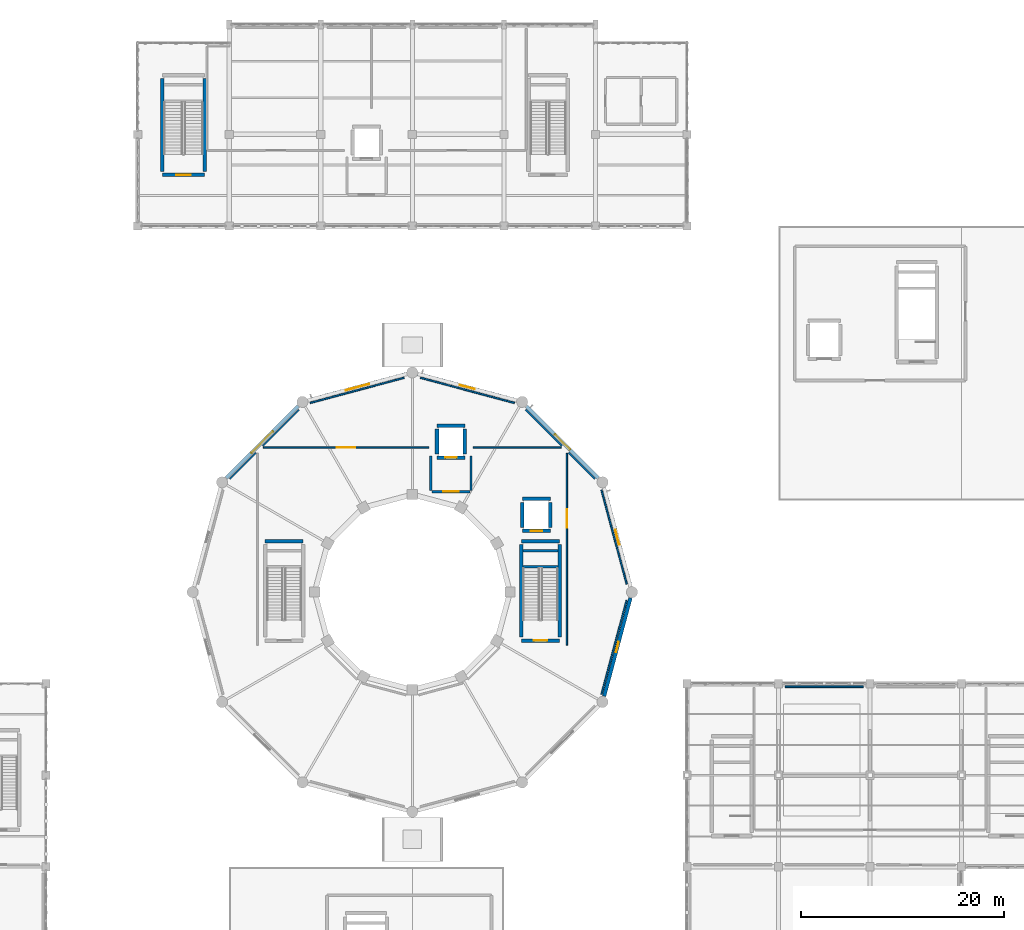
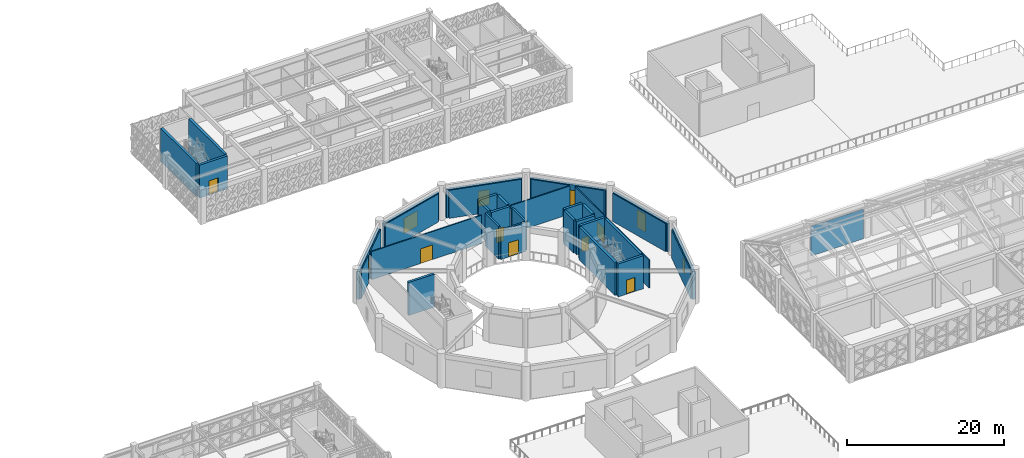
# One storey, part 72 of 86: 39 walls, 7 doors, 6 windows, 13 openings.
"""IFC4 building model written with IfcOpenShell, lengths in metres."""

from ifc_helpers import new_model, si_unit, direction, frame, frame_2d, origin, place, context, subcontext, project, spatial, rectangle, extrude, material, layer, layer_set, type_object, element, fill, save


model = new_model("IFC4")

# Units and contexts
model_context = context("Model", 3, precision=1e-05, world=origin(), true_north=direction((0.0, 1.0)))
body_context = subcontext(model_context, "Body", "Model", "MODEL_VIEW")
ifc_project = project(units=[si_unit("LENGTHUNIT", "METRE"), si_unit("AREAUNIT", "SQUARE_METRE"), si_unit("VOLUMEUNIT", "CUBIC_METRE"), si_unit("PLANEANGLEUNIT", "RADIAN"), si_unit("MASSUNIT", "GRAM", prefix="KILO")], contexts=[model_context])

# Site, building, storey
site_placement = place(None, origin())
site = spatial("IfcSite", under=ifc_project, at=site_placement, CompositionType="ELEMENT")
building_placement = place(site_placement, origin())
building = spatial("IfcBuilding", under=site, at=building_placement, Name="Haizhuo Lancet Aquarium", CompositionType="ELEMENT")
storey_placement = place(building_placement, frame((0.0, 0.0, 16.199951171875)))
storey = spatial("IfcBuildingStorey", under=building, at=storey_placement, Name="L03", CompositionType="ELEMENT", Elevation=16.199951171875)

# Wall, opening, window
ifc_material_1 = material(Name="Shandong Grey Limestone Ashlar", Category="masonry")
ifc_layer_1 = layer(ifc_material_1, 0.360107421875)
ifc_layer_set_1 = layer_set([ifc_layer_1], Name="Shandong Grey Limestone Ashlar")
wall_type_1 = type_object("IfcWallType", Name="EWL-ASH-360", PredefinedType="SOLIDWALL", material=ifc_layer_set_1)
wall_1_placement = place(storey_placement, frame((18.860107421875, 10.22509765625, 0.0), z_axis=(0.0, 0.0, 1.0), x_axis=(0.258836652854, -0.965921108134, 0.0)))
wall_1 = element("IfcWall", 1, at=wall_1_placement, inside=storey, type_object=wall_type_1, Name="L03 V1 limestone drum wall bay 1", PredefinedType="SOLIDWALL", context=body_context, shape_type="SweptSolid", body=[
    extrude(rectangle(XDim=9.99072265625, YDim=0.360107421875, at=frame_2d((4.995361328125, 0.0))), origin(), (0.0, 0.0, 1.0), 4.385009765625),
])
opening_1_placement = place(wall_1_placement, frame((4.2451171875, 0.0, 0.89990234375)))
opening_1 = element("IfcOpeningElement", 2, at=opening_1_placement, cuts=wall_1, Name="Opening WN-03", PredefinedType="OPENING", context=body_context, shape_type="SweptSolid", body=[
    extrude(rectangle(XDim=1.5, YDim=2.800048828125, at=frame_2d((0.75, 1.39990234375))), frame((0.0, 0.18994140625, 0.0), z_axis=(0.0, -1.0, 0.0), x_axis=(1.0, 0.0, 0.0)), (0.0, 0.0, 1.0), 0.380107),
])
ifc_material_2 = material(Name="Laminated Low-E Glass", Category="glass")
window_type_1 = type_object("IfcWindowType", Name="WIN-LAN-1500x2800", PartitioningType="SINGLE_PANEL", PredefinedType="WINDOW", material=ifc_material_2)
window_1_placement = place(opening_1_placement, origin())
window_1 = element("IfcWindow", 3, at=window_1_placement, inside=storey, type_object=window_type_1, Name="L03 Gothic lancet window 33", OverallHeight=2.800048828125, OverallWidth=1.5, PartitioningType="SINGLE_PANEL", PredefinedType="WINDOW", context=body_context, shape_type="SweptSolid", body=[
    extrude(rectangle(XDim=1.5, YDim=2.800048828125, at=frame_2d((0.75, 1.39990234375))), frame((0.0, 0.030029296875, 0.0), z_axis=(0.0, -1.0, 0.0), x_axis=(1.0, 0.0, 0.0)), (0.0, 0.0, 1.0), 0.06005859375),
])
fill(opening_1, window_1)

wall_2_placement = place(storey_placement, frame((11.220947265625, 18.284912109375, 0.0), z_axis=(0.0, 0.0, 1.0), x_axis=(0.707106781187, -0.707106781187, 0.0)))
wall_2 = element("IfcWall", 4, at=wall_2_placement, inside=storey, type_object=wall_type_1, Name="L03 V1 limestone drum wall bay 2", PredefinedType="SOLIDWALL", context=body_context, shape_type="SweptSolid", body=[
    extrude(rectangle(XDim=9.989990234375, YDim=0.360107421875, at=frame_2d((4.9951171875, 0.0))), origin(), (0.0, 0.0, 1.0), 4.385009765625),
])
opening_2_placement = place(wall_2_placement, frame((3.945068359375, 0.0, 0.89990234375)))
opening_2 = element("IfcOpeningElement", 5, at=opening_2_placement, cuts=wall_2, Name="Opening WN-07", PredefinedType="OPENING", context=body_context, shape_type="SweptSolid", body=[
    extrude(rectangle(XDim=2.10009765625, YDim=2.60009765625, at=frame_2d((1.050048828125, 1.300048828125))), frame((0.0, 0.18994140625, 0.0), z_axis=(0.0, -1.0, 0.0), x_axis=(1.0, 0.0, 0.0)), (0.0, 0.0, 1.0), 0.380107),
])
window_type_2 = type_object("IfcWindowType", Name="WIN-LAN-2100x2600", PartitioningType="SINGLE_PANEL", PredefinedType="WINDOW", material=ifc_material_2)
window_2_placement = place(opening_2_placement, origin())
window_2 = element("IfcWindow", 6, at=window_2_placement, inside=storey, type_object=window_type_2, Name="L03 Gothic lancet window 34", OverallHeight=2.60009765625, OverallWidth=2.10009765625, PartitioningType="SINGLE_PANEL", PredefinedType="WINDOW", context=body_context, shape_type="SweptSolid", body=[
    extrude(rectangle(XDim=2.10009765625, YDim=2.60009765625, at=frame_2d((1.050048828125, 1.300048828125))), frame((0.0, 0.030029296875, 0.0), z_axis=(0.0, -1.0, 0.0), x_axis=(1.0, 0.0, 0.0)), (0.0, 0.0, 1.0), 0.06005859375),
])
fill(opening_2, window_2)

wall_3_placement = place(storey_placement, frame((0.574951171875, 21.446044921875, 0.0), z_axis=(0.0, 0.0, 1.0), x_axis=(0.965921108134, -0.258836652854, 0.0)))
wall_3 = element("IfcWall", 7, at=wall_3_placement, inside=storey, type_object=wall_type_1, Name="L03 V1 limestone drum wall bay 3", PredefinedType="SOLIDWALL", context=body_context, shape_type="SweptSolid", body=[
    extrude(rectangle(XDim=9.99072265625, YDim=0.360107421875, at=frame_2d((4.995361328125, 0.0))), origin(), (0.0, 0.0, 1.0), 4.385009765625),
])
opening_3_placement = place(wall_3_placement, frame((4.2451171875, 0.0, 0.89990234375)))
opening_3 = element("IfcOpeningElement", 8, at=opening_3_placement, cuts=wall_3, Name="Opening WN-04", PredefinedType="OPENING", context=body_context, shape_type="SweptSolid", body=[
    extrude(rectangle(XDim=1.5, YDim=2.39990234375, at=frame_2d((0.75, 1.199951171875))), frame((0.0, 0.18994140625, 0.0), z_axis=(0.0, -1.0, 0.0), x_axis=(1.0, 0.0, 0.0)), (0.0, 0.0, 1.0), 0.380107),
])
window_type_3 = type_object("IfcWindowType", Name="WIN-LAN-1500x2400", PartitioningType="SINGLE_PANEL", PredefinedType="WINDOW", material=ifc_material_2)
window_3_placement = place(opening_3_placement, origin())
window_3 = element("IfcWindow", 9, at=window_3_placement, inside=storey, type_object=window_type_3, Name="L03 Gothic lancet window 35", OverallHeight=2.39990234375, OverallWidth=1.5, PartitioningType="SINGLE_PANEL", PredefinedType="WINDOW", context=body_context, shape_type="SweptSolid", body=[
    extrude(rectangle(XDim=1.5, YDim=2.39990234375, at=frame_2d((0.75, 1.199951171875))), frame((0.0, 0.030029296875, 0.0), z_axis=(0.0, -1.0, 0.0), x_axis=(1.0, 0.0, 0.0)), (0.0, 0.0, 1.0), 0.06005859375),
])
fill(opening_3, window_3)

wall_4_placement = place(storey_placement, frame((-10.22509765625, 18.860107421875, 0.0), z_axis=(0.0, 0.0, 1.0), x_axis=(0.965921108134, 0.258836652854, 0.0)))
wall_4 = element("IfcWall", 10, at=wall_4_placement, inside=storey, type_object=wall_type_1, Name="L03 V1 limestone drum wall bay 4", PredefinedType="SOLIDWALL", context=body_context, shape_type="SweptSolid", body=[
    extrude(rectangle(XDim=9.99072265625, YDim=0.360107421875, at=frame_2d((4.995361328125, 0.0))), origin(), (0.0, 0.0, 1.0), 4.385009765625),
])
opening_4_placement = place(wall_4_placement, frame((3.794921875, 0.0, 0.89990234375)))
opening_4 = element("IfcOpeningElement", 11, at=opening_4_placement, cuts=wall_4, Name="Opening WN-08", PredefinedType="OPENING", context=body_context, shape_type="SweptSolid", body=[
    extrude(rectangle(XDim=2.39990234375, YDim=2.39990234375, at=frame_2d((1.199951171875, 1.199951171875))), frame((0.0, 0.18994140625, 0.0), z_axis=(0.0, -1.0, 0.0), x_axis=(1.0, 0.0, 0.0)), (0.0, 0.0, 1.0), 0.380107),
])
window_type_4 = type_object("IfcWindowType", Name="WIN-LAN-2400x2400", PartitioningType="SINGLE_PANEL", PredefinedType="WINDOW", material=ifc_material_2)
window_4_placement = place(opening_4_placement, origin())
window_4 = element("IfcWindow", 12, at=window_4_placement, inside=storey, type_object=window_type_4, Name="L03 Gothic lancet window 36", OverallHeight=2.39990234375, OverallWidth=2.39990234375, PartitioningType="SINGLE_PANEL", PredefinedType="WINDOW", context=body_context, shape_type="SweptSolid", body=[
    extrude(rectangle(XDim=2.39990234375, YDim=2.39990234375, at=frame_2d((1.199951171875, 1.199951171875))), frame((0.0, 0.030029296875, 0.0), z_axis=(0.0, -1.0, 0.0), x_axis=(1.0, 0.0, 0.0)), (0.0, 0.0, 1.0), 0.06005859375),
])
fill(opening_4, window_4)

wall_5_placement = place(storey_placement, frame((-18.284912109375, 11.220947265625, 0.0), z_axis=(0.0, 0.0, 1.0), x_axis=(0.707106781187, 0.707106781187, 0.0)))
wall_5 = element("IfcWall", 13, at=wall_5_placement, inside=storey, type_object=wall_type_1, Name="L03 V1 limestone drum wall bay 5", PredefinedType="SOLIDWALL", context=body_context, shape_type="SweptSolid", body=[
    extrude(rectangle(XDim=9.989990234375, YDim=0.360107421875, at=frame_2d((4.9951171875, 0.0))), origin(), (0.0, 0.0, 1.0), 4.385009765625),
])
opening_5_placement = place(wall_5_placement, frame((3.4951171875, 0.0, 0.89990234375)))
opening_5 = element("IfcOpeningElement", 14, at=opening_5_placement, cuts=wall_5, Name="Opening WN-10", PredefinedType="OPENING", context=body_context, shape_type="SweptSolid", body=[
    extrude(rectangle(XDim=3.0, YDim=2.0, at=frame_2d((1.5, 1.0))), frame((0.0, 0.18994140625, 0.0), z_axis=(0.0, -1.0, 0.0), x_axis=(1.0, 0.0, 0.0)), (0.0, 0.0, 1.0), 0.380107),
])
window_type_5 = type_object("IfcWindowType", Name="WIN-LAN-3000x2000", PartitioningType="SINGLE_PANEL", PredefinedType="WINDOW", material=ifc_material_2)
window_5_placement = place(opening_5_placement, origin())
window_5 = element("IfcWindow", 15, at=window_5_placement, inside=storey, type_object=window_type_5, Name="L03 Gothic lancet window 37", OverallHeight=2.0, OverallWidth=3.0, PartitioningType="SINGLE_PANEL", PredefinedType="WINDOW", context=body_context, shape_type="SweptSolid", body=[
    extrude(rectangle(XDim=3.0, YDim=2.0, at=frame_2d((1.5, 1.0))), frame((0.0, 0.030029296875, 0.0), z_axis=(0.0, -1.0, 0.0), x_axis=(1.0, 0.0, 0.0)), (0.0, 0.0, 1.0), 0.06005859375),
])
fill(opening_5, window_5)

wall_6_placement = place(storey_placement, frame((21.446044921875, -0.574951171875, 0.0), z_axis=(0.0, 0.0, 1.0), x_axis=(-0.258836652854, -0.965921108134, 0.0)))
wall_6 = element("IfcWall", 16, at=wall_6_placement, inside=storey, type_object=wall_type_1, Name="L03 V1 limestone drum wall bay 12", PredefinedType="SOLIDWALL", context=body_context, shape_type="SweptSolid", body=[
    extrude(rectangle(XDim=9.99072265625, YDim=0.360107421875, at=frame_2d((4.995361328125, 0.0))), origin(), (0.0, 0.0, 1.0), 4.385009765625),
])
opening_6_placement = place(wall_6_placement, frame((4.469970703125, 0.0, 0.89990234375)))
opening_6 = element("IfcOpeningElement", 17, at=opening_6_placement, cuts=wall_6, Name="Opening WN-12", PredefinedType="OPENING", context=body_context, shape_type="SweptSolid", body=[
    extrude(rectangle(XDim=1.050048828125, YDim=2.0, at=frame_2d((0.52490234375, 1.0))), frame((0.0, 0.18994140625, 0.0), z_axis=(0.0, -1.0, 0.0), x_axis=(1.0, 0.0, 0.0)), (0.0, 0.0, 1.0), 0.380107),
])
window_type_6 = type_object("IfcWindowType", Name="WIN-LAN-1050x2000", PartitioningType="SINGLE_PANEL", PredefinedType="WINDOW", material=ifc_material_2)
window_6_placement = place(opening_6_placement, origin())
window_6 = element("IfcWindow", 18, at=window_6_placement, inside=storey, type_object=window_type_6, Name="L03 Gothic lancet window 44", OverallHeight=2.0, OverallWidth=1.050048828125, PartitioningType="SINGLE_PANEL", PredefinedType="WINDOW", context=body_context, shape_type="SweptSolid", body=[
    extrude(rectangle(XDim=1.050048828125, YDim=2.0, at=frame_2d((0.52490234375, 1.0))), frame((0.0, 0.030029296875, 0.0), z_axis=(0.0, -1.0, 0.0), x_axis=(1.0, 0.0, 0.0)), (0.0, 0.0, 1.0), 0.06005859375),
])
fill(opening_6, window_6)

# Wall, opening, door
ifc_material_3 = material(Name="Concrete C40/50", Category="concrete")
ifc_layer_2 = layer(ifc_material_3, 0.239990234375)
ifc_layer_set_2 = layer_set([ifc_layer_2], Name="Concrete C40/50")
wall_type_2 = type_object("IfcWallType", Name="IWL-FIRE-240", PredefinedType="PARTITIONING", material=ifc_layer_set_2)
wall_7_placement = place(storey_placement, frame((1.949951171875, 9.8798828125, 0.0), z_axis=(0.0, 0.0, 1.0), x_axis=(1.0, 0.0, 0.0)))
wall_7 = element("IfcWall", 19, at=wall_7_placement, inside=storey, type_object=wall_type_2, Name="L03 LF-01 firefighting lift lobby firewall S", PredefinedType="PARTITIONING", context=body_context, shape_type="SweptSolid", body=[
    extrude(rectangle(XDim=3.699951171875, YDim=0.239990234375, at=frame_2d((1.85009765625, 0.0))), origin(), (0.0, 0.0, 1.0), 4.53515625),
])
opening_7_placement = place(wall_7_placement, frame((1.10009765625, 0.0, 0.0)))
opening_7 = element("IfcOpeningElement", 20, at=opening_7_placement, cuts=wall_7, Name="Opening FD-03", PredefinedType="OPENING", context=body_context, shape_type="SweptSolid", body=[
    extrude(rectangle(XDim=1.5, YDim=2.199951171875, at=frame_2d((0.75, 1.10009765625))), frame((0.0, 0.1298828125, 0.0), z_axis=(0.0, -1.0, 0.0), x_axis=(1.0, 0.0, 0.0)), (0.0, 0.0, 1.0), 0.25999),
])
ifc_material_4 = material(Name="Steel S355", Category="steel")
door_type_1 = type_object("IfcDoorType", Name="IDR-FFL-1500x2200", OperationType="NOTDEFINED", PredefinedType="DOOR", material=ifc_material_4)
door_1_placement = place(opening_7_placement, origin())
door_1 = element("IfcDoor", 21, at=door_1_placement, inside=storey, type_object=door_type_1, Name="L03 LF-01 firefighting lift lobby door", OperationType="SINGLE_SWING_LEFT", OverallHeight=2.199951171875, OverallWidth=1.5, PredefinedType="DOOR", context=body_context, shape_type="SweptSolid", body=[
    extrude(rectangle(XDim=1.5, YDim=2.199951171875, at=frame_2d((0.75, 1.10009765625))), frame((0.0, 0.02490234375, 0.0), z_axis=(0.0, -1.0, 0.0), x_axis=(1.0, 0.0, 0.0)), (0.0, 0.0, 1.0), 0.050048828125),
])
fill(opening_7, door_1)

# Walls
wall_8_placement = place(storey_placement, frame((1.830078125, 10.0, 0.0), z_axis=(0.0, 0.0, 1.0), x_axis=(0.0, 1.0, 0.0)))
element("IfcWall", 22, at=wall_8_placement, inside=storey, type_object=wall_type_2, Name="L03 LF-01 firefighting lift lobby firewall W", PredefinedType="PARTITIONING", context=body_context, shape_type="SweptSolid", body=[
    extrude(rectangle(XDim=3.39990234375, YDim=0.239990234375, at=frame_2d((1.699951171875, 0.0))), origin(), (0.0, 0.0, 1.0), 5.10009765625),
])
wall_9_placement = place(storey_placement, frame((5.77001953125, 10.0, 0.0), z_axis=(0.0, 0.0, 1.0), x_axis=(0.0, 1.0, 0.0)))
element("IfcWall", 23, at=wall_9_placement, inside=storey, type_object=wall_type_2, Name="L03 LF-01 firefighting lift lobby firewall E", PredefinedType="PARTITIONING", context=body_context, shape_type="SweptSolid", body=[
    extrude(rectangle(XDim=3.39990234375, YDim=0.239990234375, at=frame_2d((1.699951171875, 0.0))), origin(), (0.0, 0.0, 1.0), 4.53515625),
])
ifc_material_5 = material(Name="Gypsum Fireboard Partition")
ifc_layer_3 = layer(ifc_material_5, 0.14990234375)
ifc_layer_set_3 = layer_set([ifc_layer_3], Name="Gypsum Fireboard Partition")
wall_type_3 = type_object("IfcWallType", Name="IWL-STD-150", PredefinedType="PARTITIONING", material=ifc_layer_set_3)
wall_10_placement = place(storey_placement, frame((18.59912109375, -10.0400390625, 0.0), z_axis=(0.0, 0.0, 1.0), x_axis=(0.258779912716, 0.965936310931, 0.0)))
element("IfcWall", 24, at=wall_10_placement, inside=storey, type_object=wall_type_3, Name="L03 partition wall 455", PredefinedType="PARTITIONING", context=body_context, shape_type="SweptSolid", body=[
    extrude(rectangle(XDim=9.559814453125, YDim=0.14990234375, at=frame_2d((4.77978515625, 0.0))), origin(), (0.0, 0.0, 1.0), 4.385009765625),
])
wall_11_placement = place(storey_placement, frame((21.076904296875, 0.787109375, 0.0), z_axis=(0.0, 0.0, 1.0), x_axis=(-0.258883855342, 0.965908458107, 0.0)))
element("IfcWall", 25, at=wall_11_placement, inside=storey, type_object=wall_type_3, Name="L03 partition wall 456", PredefinedType="PARTITIONING", context=body_context, shape_type="SweptSolid", body=[
    extrude(rectangle(XDim=9.57958984375, YDim=0.14990234375, at=frame_2d((4.789794921875, 0.0))), origin(), (0.0, 0.0, 1.0), 4.385009765625),
])
wall_12_placement = place(storey_placement, frame((17.946044921875, 11.135009765625, 0.0), z_axis=(0.0, 0.0, 1.0), x_axis=(-0.706972707094, 0.707240829862, 0.0)))
element("IfcWall", 26, at=wall_12_placement, inside=storey, type_object=wall_type_3, Name="L03 partition wall 457", PredefinedType="PARTITIONING", context=body_context, shape_type="SweptSolid", body=[
    extrude(rectangle(XDim=3.642333984375, YDim=0.14990234375, at=frame_2d((1.8212890625, 0.0))), origin(), (0.0, 0.0, 1.0), 4.385009765625),
])

# Wall, opening, door
wall_13_placement = place(storey_placement, frame((15.199951171875, 13.639892578125, 0.0), z_axis=(0.0, 0.0, 1.0), x_axis=(0.0, -1.0, 0.0)))
wall_13 = element("IfcWall", 27, at=wall_13_placement, inside=storey, type_object=wall_type_3, Name="L03 partition wall 458", PredefinedType="PARTITIONING", context=body_context, shape_type="SweptSolid", body=[
    extrude(rectangle(XDim=18.83984375, YDim=0.14990234375, at=frame_2d((9.419921875, 0.0))), origin(), (0.0, 0.0, 1.0), 4.385009765625),
])
opening_8_placement = place(wall_13_placement, frame((5.506103515625, 0.0, 0.0)))
opening_8 = element("IfcOpeningElement", 28, at=opening_8_placement, cuts=wall_13, Name="Opening D-02", PredefinedType="OPENING", context=body_context, shape_type="SweptSolid", body=[
    extrude(rectangle(XDim=1.800048828125, YDim=2.300048828125, at=frame_2d((0.89990234375, 1.14990234375))), frame((0.0, 0.0849609375, 0.0), z_axis=(0.0, -1.0, 0.0), x_axis=(1.0, 0.0, 0.0)), (0.0, 0.0, 1.0), 0.169902),
])
ifc_material_6 = material(Name="Aluminium 6063-T6", Category="aluminium")
door_type_2 = type_object("IfcDoorType", Name="IDR-GAL-1800x2300", OperationType="NOTDEFINED", PredefinedType="DOOR", material=ifc_material_6)
door_2_placement = place(opening_8_placement, origin())
door_2 = element("IfcDoor", 29, at=door_2_placement, inside=storey, type_object=door_type_2, Name="L03 Ocean Tank Dive Husbandry Deck door", OperationType="DOUBLE_DOOR_SINGLE_SWING", OverallHeight=2.300048828125, OverallWidth=1.800048828125, PredefinedType="DOOR", context=body_context, shape_type="SweptSolid", body=[
    extrude(rectangle(XDim=1.800048828125, YDim=2.300048828125, at=frame_2d((0.89990234375, 1.14990234375))), frame((0.0, 0.02490234375, 0.0), z_axis=(0.0, -1.0, 0.0), x_axis=(1.0, 0.0, 0.0)), (0.0, 0.0, 1.0), 0.050048828125),
])
fill(opening_8, door_2)

# Wall
wall_14_placement = place(storey_placement, frame((-15.37109375, 13.7109375, 0.0), z_axis=(0.0, 0.0, 1.0), x_axis=(-0.706972707094, -0.707240829862, 0.0)))
element("IfcWall", 30, at=wall_14_placement, inside=storey, type_object=wall_type_3, Name="L03 partition wall 464", PredefinedType="PARTITIONING", context=body_context, shape_type="SweptSolid", body=[
    extrude(rectangle(XDim=3.642333984375, YDim=0.14990234375, at=frame_2d((1.8212890625, 0.0))), origin(), (0.0, 0.0, 1.0), 4.385009765625),
])

# Wall, opening, door
wall_15_placement = place(storey_placement, frame((-14.639892578125, 14.199951171875, 0.0), z_axis=(0.0, 0.0, 1.0), x_axis=(1.0, 0.0, 0.0)))
wall_15 = element("IfcWall", 31, at=wall_15_placement, inside=storey, type_object=wall_type_3, Name="L03 partition wall 466", PredefinedType="PARTITIONING", context=body_context, shape_type="SweptSolid", body=[
    extrude(rectangle(XDim=16.264892578125, YDim=0.14990234375, at=frame_2d((8.13232421875, 0.0))), origin(), (0.0, 0.0, 1.0), 4.385009765625),
])
opening_9_placement = place(wall_15_placement, frame((7.23193359375, 0.0, 0.0)))
opening_9 = element("IfcOpeningElement", 32, at=opening_9_placement, cuts=wall_15, Name="Opening D-02", PredefinedType="OPENING", context=body_context, shape_type="SweptSolid", body=[
    extrude(rectangle(XDim=1.800048828125, YDim=2.300048828125, at=frame_2d((0.89990234375, 1.14990234375))), frame((0.0, 0.0849609375, 0.0), z_axis=(0.0, -1.0, 0.0), x_axis=(1.0, 0.0, 0.0)), (0.0, 0.0, 1.0), 0.169902),
])
door_3_placement = place(opening_9_placement, origin())
door_3 = element("IfcDoor", 33, at=door_3_placement, inside=storey, type_object=door_type_2, Name="L03 Ocean Tank Dive Husbandry Deck door", OperationType="DOUBLE_DOOR_SINGLE_SWING", OverallHeight=2.300048828125, OverallWidth=1.800048828125, PredefinedType="DOOR", context=body_context, shape_type="SweptSolid", body=[
    extrude(rectangle(XDim=1.800048828125, YDim=2.300048828125, at=frame_2d((0.89990234375, 1.14990234375))), frame((0.0, 0.02490234375, 0.0), z_axis=(0.0, -1.0, 0.0), x_axis=(1.0, 0.0, 0.0)), (0.0, 0.0, 1.0), 0.050048828125),
])
fill(opening_9, door_3)

# Walls
wall_16_placement = place(storey_placement, frame((5.97509765625, 14.201904296875, 0.0), z_axis=(0.0, 0.0, 1.0), x_axis=(0.999999974595, -0.000225409253, 0.0)))
element("IfcWall", 34, at=wall_16_placement, inside=storey, type_object=wall_type_3, Name="L03 partition wall 467", PredefinedType="PARTITIONING", context=body_context, shape_type="SweptSolid", body=[
    extrude(rectangle(XDim=8.664794921875, YDim=0.14990234375, at=frame_2d((4.33251953125, 0.0))), origin(), (0.0, 0.0, 1.0), 4.385009765625),
])
wall_17_placement = place(storey_placement, frame((14.7109375, 14.37109375, 0.0), z_axis=(0.0, 0.0, 1.0), x_axis=(-0.707203340899, 0.707010208287, 0.0)))
element("IfcWall", 35, at=wall_17_placement, inside=storey, type_object=wall_type_3, Name="L03 partition wall 468", PredefinedType="PARTITIONING", context=body_context, shape_type="SweptSolid", body=[
    extrude(rectangle(XDim=5.056396484375, YDim=0.14990234375, at=frame_2d((2.5283203125, 0.0))), origin(), (0.0, 0.0, 1.0), 4.385009765625),
])
wall_18_placement = place(storey_placement, frame((10.0400390625, 18.596923828125, 0.0), z_axis=(0.0, 0.0, 1.0), x_axis=(-0.965872416838, 0.259018289684, 0.0)))
element("IfcWall", 36, at=wall_18_placement, inside=storey, type_object=wall_type_3, Name="L03 partition wall 469", PredefinedType="PARTITIONING", context=body_context, shape_type="SweptSolid", body=[
    extrude(rectangle(XDim=9.57080078125, YDim=0.14990234375, at=frame_2d((4.785400390625, 0.0))), origin(), (0.0, 0.0, 1.0), 4.385009765625),
])
wall_19_placement = place(storey_placement, frame((-0.805908203125, 21.072998046875, 0.0), z_axis=(0.0, 0.0, 1.0), x_axis=(-0.965936310931, -0.258779912716, 0.0)))
element("IfcWall", 37, at=wall_19_placement, inside=storey, type_object=wall_type_3, Name="L03 partition wall 470", PredefinedType="PARTITIONING", context=body_context, shape_type="SweptSolid", body=[
    extrude(rectangle(XDim=9.559814453125, YDim=0.14990234375, at=frame_2d((4.77978515625, 0.0))), origin(), (0.0, 0.0, 1.0), 4.385009765625),
])
wall_20_placement = place(storey_placement, frame((-11.135986328125, 17.946044921875, 0.0), z_axis=(0.0, 0.0, 1.0), x_axis=(-0.707106781187, -0.707106781187, 0.0)))
element("IfcWall", 38, at=wall_20_placement, inside=storey, type_object=wall_type_3, Name="L03 partition wall 471", PredefinedType="PARTITIONING", context=body_context, shape_type="SweptSolid", body=[
    extrude(rectangle(XDim=5.0556640625, YDim=0.14990234375, at=frame_2d((2.52783203125, 0.0))), origin(), (0.0, 0.0, 1.0), 4.385009765625),
])
wall_21_placement = place(storey_placement, frame((44.35009765625, -9.300048828125, 0.0), z_axis=(0.0, 0.0, 1.0), x_axis=(-1.0, 0.0, 0.0)))
element("IfcWall", 39, at=wall_21_placement, inside=storey, type_object=wall_type_3, Name="L03 partition wall 476", PredefinedType="PARTITIONING", context=body_context, shape_type="SweptSolid", body=[
    extrude(rectangle(XDim=7.7001953125, YDim=0.14990234375, at=frame_2d((3.85009765625, 0.0))), origin(), (0.0, 0.0, 1.0), 4.635009765625),
])
ifc_layer_4 = layer(ifc_material_3, 0.35009765625)
ifc_layer_set_4 = layer_set([ifc_layer_4], Name="Concrete C40/50")
wall_type_4 = type_object("IfcWallType", Name="WL-CORE-350", PredefinedType="SHEAR", material=ifc_layer_set_4)
wall_22_placement = place(storey_placement, frame((-14.47509765625, 5.02490234375, 0.0), z_axis=(0.0, 0.0, 1.0), x_axis=(1.0, 0.0, 0.0)))
element("IfcWall", 40, at=wall_22_placement, inside=storey, type_object=wall_type_4, Name="L03 ST-01 core shear wall N", PredefinedType="SHEAR", context=body_context, shape_type="SweptSolid", body=[
    extrude(rectangle(XDim=3.75, YDim=0.35009765625, at=frame_2d((1.875, 0.0))), origin(), (0.0, 0.0, 1.0), 5.150146484375),
])
for number, where, z_axis, x_axis, name in (
    (41, (10.89990234375, 2.47509765625, 0.0), (0.0, 0.0, 1.0), (1.0, 0.0, 0.0), "L03 ST-02 landing support wall"),
    (42, (10.89990234375, 4.074951171875, 0.0), (0.0, 0.0, 1.0), (1.0, 0.0, 0.0), "L03 ST-02 far landing support wall"),
):
    element("IfcWall", number, at=place(storey_placement, frame(where, z_axis=z_axis, x_axis=x_axis)), inside=storey, type_object=wall_type_4, Name=name, PredefinedType="SHEAR", context=body_context, shape_type="SweptSolid", body=[
        extrude(rectangle(XDim=3.400146484375, YDim=0.25, at=frame_2d((1.7001953125, 0.0))), origin(), (0.0, 0.0, 1.0), 2.5),
    ])

# Wall, opening, door
wall_23_placement = place(storey_placement, frame((10.72509765625, -4.77490234375, 0.0), z_axis=(0.0, 0.0, 1.0), x_axis=(1.0, 0.0, 0.0)))
wall_23 = element("IfcWall", 43, at=wall_23_placement, inside=storey, type_object=wall_type_4, Name="L03 ST-02 core shear wall S", PredefinedType="SHEAR", context=body_context, shape_type="SweptSolid", body=[
    extrude(rectangle(XDim=3.75, YDim=0.35009765625, at=frame_2d((1.875, 0.0))), origin(), (0.0, 0.0, 1.0), 5.150146484375),
])
opening_10_placement = place(wall_23_placement, frame((1.22509765625, 0.0, 0.0)))
opening_10 = element("IfcOpeningElement", 44, at=opening_10_placement, cuts=wall_23, Name="Opening FD-02", PredefinedType="OPENING", context=body_context, shape_type="SweptSolid", body=[
    extrude(rectangle(XDim=1.300048828125, YDim=2.199951171875, at=frame_2d((0.64990234375, 1.10009765625))), frame((0.0, 0.18505859375, 0.0), z_axis=(0.0, -1.0, 0.0), x_axis=(1.0, 0.0, 0.0)), (0.0, 0.0, 1.0), 0.370098),
])
door_type_3 = type_object("IfcDoorType", Name="IDR-STAIR-1300x2200", OperationType="NOTDEFINED", PredefinedType="DOOR", material=ifc_material_4)
door_4_placement = place(opening_10_placement, origin())
door_4 = element("IfcDoor", 45, at=door_4_placement, inside=storey, type_object=door_type_3, Name="L03 ST-02 stairwell fire door", OperationType="SINGLE_SWING_RIGHT", OverallHeight=2.199951171875, OverallWidth=1.300048828125, PredefinedType="DOOR", context=body_context, shape_type="SweptSolid", body=[
    extrude(rectangle(XDim=1.300048828125, YDim=2.199951171875, at=frame_2d((0.64990234375, 1.10009765625))), frame((0.0, 0.02490234375, 0.0), z_axis=(0.0, -1.0, 0.0), x_axis=(1.0, 0.0, 0.0)), (0.0, 0.0, 1.0), 0.050048828125),
])
fill(opening_10, door_4)

# Walls
wall_24_placement = place(storey_placement, frame((10.72509765625, 5.02490234375, 0.0), z_axis=(0.0, 0.0, 1.0), x_axis=(1.0, 0.0, 0.0)))
element("IfcWall", 46, at=wall_24_placement, inside=storey, type_object=wall_type_4, Name="L03 ST-02 core shear wall N", PredefinedType="SHEAR", context=body_context, shape_type="SweptSolid", body=[
    extrude(rectangle(XDim=3.75, YDim=0.35009765625, at=frame_2d((1.875, 0.0))), origin(), (0.0, 0.0, 1.0), 5.150146484375),
])
for number, where, z_axis, x_axis, name in (
    (47, (10.72509765625, -4.425048828125, 0.0), (0.0, 0.0, 1.0), (0.0, 1.0, 0.0), "L03 ST-02 core shear wall W"),
    (48, (14.47509765625, -4.425048828125, 0.0), (0.0, 0.0, 1.0), (0.0, 1.0, 0.0), "L03 ST-02 core shear wall E"),
):
    element("IfcWall", number, at=place(storey_placement, frame(where, z_axis=z_axis, x_axis=x_axis)), inside=storey, type_object=wall_type_4, Name=name, PredefinedType="SHEAR", context=body_context, shape_type="SweptSolid", body=[
        extrude(rectangle(XDim=9.10009765625, YDim=0.35009765625, at=frame_2d((4.550048828125, 0.0))), origin(), (0.0, 0.0, 1.0), 5.150146484375),
    ])

# Wall, opening, door
wall_25_placement = place(storey_placement, frame((-24.574951171875, 41.02490234375, 0.0), z_axis=(0.0, 0.0, 1.0), x_axis=(1.0, 0.0, 0.0)))
wall_25 = element("IfcWall", 49, at=wall_25_placement, inside=storey, type_object=wall_type_4, Name="L03 ST-07 core shear wall S", PredefinedType="SHEAR", context=body_context, shape_type="SweptSolid", body=[
    extrude(rectangle(XDim=4.14990234375, YDim=0.35009765625, at=frame_2d((2.074951171875, 0.0))), origin(), (0.0, 0.0, 1.0), 5.150146484375),
])
opening_11_placement = place(wall_25_placement, frame((1.375, 0.0, 0.0)))
opening_11 = element("IfcOpeningElement", 50, at=opening_11_placement, cuts=wall_25, Name="Opening FD-01", PredefinedType="OPENING", context=body_context, shape_type="SweptSolid", body=[
    extrude(rectangle(XDim=1.39990234375, YDim=2.199951171875, at=frame_2d((0.699951171875, 1.10009765625))), frame((0.0, 0.18505859375, 0.0), z_axis=(0.0, -1.0, 0.0), x_axis=(1.0, 0.0, 0.0)), (0.0, 0.0, 1.0), 0.370098),
])
door_type_4 = type_object("IfcDoorType", Name="IDR-STAIR-1400x2200", OperationType="NOTDEFINED", PredefinedType="DOOR", material=ifc_material_4)
door_5_placement = place(opening_11_placement, origin())
door_5 = element("IfcDoor", 51, at=door_5_placement, inside=storey, type_object=door_type_4, Name="L03 ST-07 stairwell fire door", OperationType="SINGLE_SWING_LEFT", OverallHeight=2.199951171875, OverallWidth=1.39990234375, PredefinedType="DOOR", context=body_context, shape_type="SweptSolid", body=[
    extrude(rectangle(XDim=1.39990234375, YDim=2.199951171875, at=frame_2d((0.699951171875, 1.10009765625))), frame((0.0, 0.02490234375, 0.0), z_axis=(0.0, -1.0, 0.0), x_axis=(1.0, 0.0, 0.0)), (0.0, 0.0, 1.0), 0.050048828125),
])
fill(opening_11, door_5)

# Walls
for number, where, z_axis, x_axis, name in (
    (52, (-24.574951171875, 41.375, 0.0), (0.0, 0.0, 1.0), (0.0, 1.0, 0.0), "L03 ST-07 core shear wall W"),
    (53, (-20.425048828125, 41.375, 0.0), (0.0, 0.0, 1.0), (0.0, 1.0, 0.0), "L03 ST-07 core shear wall E"),
):
    element("IfcWall", number, at=place(storey_placement, frame(where, z_axis=z_axis, x_axis=x_axis)), inside=storey, type_object=wall_type_4, Name=name, PredefinedType="SHEAR", context=body_context, shape_type="SweptSolid", body=[
        extrude(rectangle(XDim=9.10009765625, YDim=0.35009765625, at=frame_2d((4.550048828125, 0.0))), origin(), (0.0, 0.0, 1.0), 5.150146484375),
    ])

# Wall, opening, door
wall_26_placement = place(storey_placement, frame((2.425048828125, 13.22509765625, 0.0), z_axis=(0.0, 0.0, 1.0), x_axis=(1.0, 0.0, 0.0)))
wall_26 = element("IfcWall", 54, at=wall_26_placement, inside=storey, type_object=wall_type_4, Name="L03 LF-01 lift shaft wall -Y", PredefinedType="SHEAR", context=body_context, shape_type="SweptSolid", body=[
    extrude(rectangle(XDim=2.75, YDim=0.35009765625, at=frame_2d((1.375, 0.0))), origin(), (0.0, 0.0, 1.0), 5.150146484375),
])
opening_12_placement = place(wall_26_placement, frame((0.824951171875, 0.0, 0.0)))
opening_12 = element("IfcOpeningElement", 55, at=opening_12_placement, cuts=wall_26, Name="Opening LD-01", PredefinedType="OPENING", context=body_context, shape_type="SweptSolid", body=[
    extrude(rectangle(XDim=1.10009765625, YDim=2.199951171875, at=frame_2d((0.550048828125, 1.10009765625))), frame((0.0, 0.18505859375, 0.0), z_axis=(0.0, -1.0, 0.0), x_axis=(1.0, 0.0, 0.0)), (0.0, 0.0, 1.0), 0.370098),
])
door_type_5 = type_object("IfcDoorType", Name="IDR-LIFT-1100x2200", OperationType="NOTDEFINED", PredefinedType="DOOR", material=ifc_material_4)
door_6_placement = place(opening_12_placement, origin())
door_6 = element("IfcDoor", 56, at=door_6_placement, inside=storey, type_object=door_type_5, Name="L03 LF-01 sliding lift landing door", OperationType="DOUBLE_DOOR_SLIDING", OverallHeight=2.199951171875, OverallWidth=1.10009765625, PredefinedType="DOOR", context=body_context, shape_type="SweptSolid", body=[
    extrude(rectangle(XDim=1.10009765625, YDim=2.199951171875, at=frame_2d((0.550048828125, 1.10009765625))), frame((0.0, 0.02490234375, 0.0), z_axis=(0.0, -1.0, 0.0), x_axis=(1.0, 0.0, 0.0)), (0.0, 0.0, 1.0), 0.050048828125),
])
fill(opening_12, door_6)

# Walls
wall_27_placement = place(storey_placement, frame((5.175048828125, 16.375, 0.0), z_axis=(0.0, 0.0, 1.0), x_axis=(-1.0, 0.0, 0.0)))
element("IfcWall", 57, at=wall_27_placement, inside=storey, type_object=wall_type_4, Name="L03 LF-01 lift shaft wall +Y", PredefinedType="SHEAR", context=body_context, shape_type="SweptSolid", body=[
    extrude(rectangle(XDim=2.75, YDim=0.35009765625, at=frame_2d((1.375, 0.0))), origin(), (0.0, 0.0, 1.0), 5.150146484375),
])
for number, where, z_axis, x_axis, name in (
    (58, (2.425048828125, 13.574951171875, 0.0), (0.0, 0.0, 1.0), (0.0, 1.0, 0.0), "L03 LF-01 lift shaft wall -X"),
    (59, (5.175048828125, 13.574951171875, 0.0), (0.0, 0.0, 1.0), (0.0, 1.0, 0.0), "L03 LF-01 lift shaft wall +X"),
):
    element("IfcWall", number, at=place(storey_placement, frame(where, z_axis=z_axis, x_axis=x_axis)), inside=storey, type_object=wall_type_4, Name=name, PredefinedType="SHEAR", context=body_context, shape_type="SweptSolid", body=[
        extrude(rectangle(XDim=2.449951171875, YDim=0.35009765625, at=frame_2d((1.22509765625, 0.0))), origin(), (0.0, 0.0, 1.0), 5.150146484375),
    ])

# Wall, opening, door
wall_28_placement = place(storey_placement, frame((10.824951171875, 6.02490234375, 0.0), z_axis=(0.0, 0.0, 1.0), x_axis=(1.0, 0.0, 0.0)))
wall_28 = element("IfcWall", 60, at=wall_28_placement, inside=storey, type_object=wall_type_4, Name="L03 LP-01 lift shaft wall -Y", PredefinedType="SHEAR", context=body_context, shape_type="SweptSolid", body=[
    extrude(rectangle(XDim=2.75, YDim=0.35009765625, at=frame_2d((1.375, 0.0))), origin(), (0.0, 0.0, 1.0), 5.150146484375),
])
opening_13_placement = place(wall_28_placement, frame((0.824951171875, 0.0, 0.0)))
opening_13 = element("IfcOpeningElement", 61, at=opening_13_placement, cuts=wall_28, Name="Opening LD-01", PredefinedType="OPENING", context=body_context, shape_type="SweptSolid", body=[
    extrude(rectangle(XDim=1.10009765625, YDim=2.199951171875, at=frame_2d((0.550048828125, 1.10009765625))), frame((0.0, 0.18505859375, 0.0), z_axis=(0.0, -1.0, 0.0), x_axis=(1.0, 0.0, 0.0)), (0.0, 0.0, 1.0), 0.370098),
])
door_7_placement = place(opening_13_placement, origin())
door_7 = element("IfcDoor", 62, at=door_7_placement, inside=storey, type_object=door_type_5, Name="L03 LP-01 sliding lift landing door", OperationType="DOUBLE_DOOR_SLIDING", OverallHeight=2.199951171875, OverallWidth=1.10009765625, PredefinedType="DOOR", context=body_context, shape_type="SweptSolid", body=[
    extrude(rectangle(XDim=1.10009765625, YDim=2.199951171875, at=frame_2d((0.550048828125, 1.10009765625))), frame((0.0, 0.02490234375, 0.0), z_axis=(0.0, -1.0, 0.0), x_axis=(1.0, 0.0, 0.0)), (0.0, 0.0, 1.0), 0.050048828125),
])
fill(opening_13, door_7)

# Walls
wall_29_placement = place(storey_placement, frame((13.574951171875, 9.175048828125, 0.0), z_axis=(0.0, 0.0, 1.0), x_axis=(-1.0, 0.0, 0.0)))
element("IfcWall", 63, at=wall_29_placement, inside=storey, type_object=wall_type_4, Name="L03 LP-01 lift shaft wall +Y", PredefinedType="SHEAR", context=body_context, shape_type="SweptSolid", body=[
    extrude(rectangle(XDim=2.75, YDim=0.35009765625, at=frame_2d((1.375, 0.0))), origin(), (0.0, 0.0, 1.0), 5.150146484375),
])
for number, where, z_axis, x_axis, name in (
    (64, (10.824951171875, 6.375, 0.0), (0.0, 0.0, 1.0), (0.0, 1.0, 0.0), "L03 LP-01 lift shaft wall -X"),
    (65, (13.574951171875, 6.375, 0.0), (0.0, 0.0, 1.0), (0.0, 1.0, 0.0), "L03 LP-01 lift shaft wall +X"),
):
    element("IfcWall", number, at=place(storey_placement, frame(where, z_axis=z_axis, x_axis=x_axis)), inside=storey, type_object=wall_type_4, Name=name, PredefinedType="SHEAR", context=body_context, shape_type="SweptSolid", body=[
        extrude(rectangle(XDim=2.449951171875, YDim=0.35009765625, at=frame_2d((1.22509765625, 0.0))), origin(), (0.0, 0.0, 1.0), 5.150146484375),
    ])

save(model, "model.ifc")
